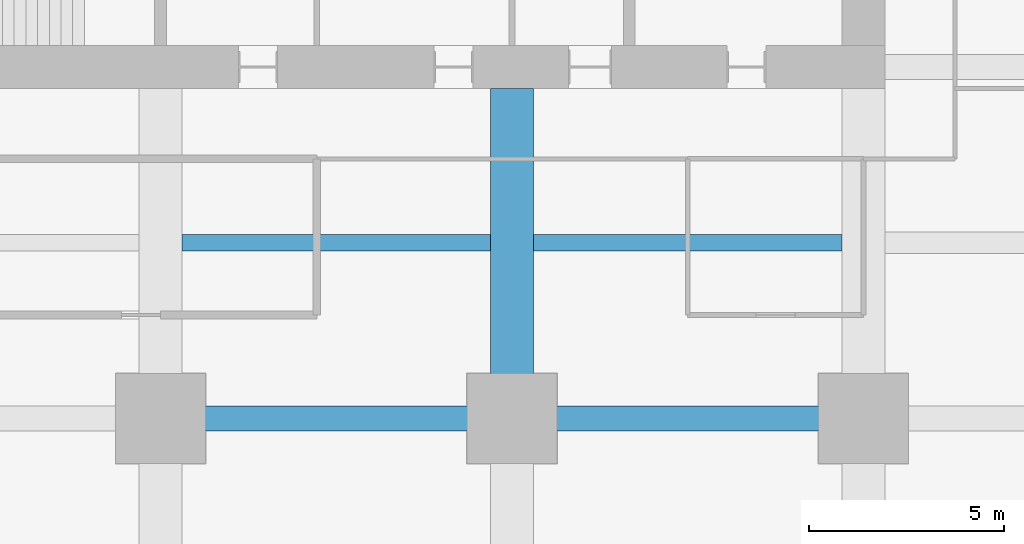
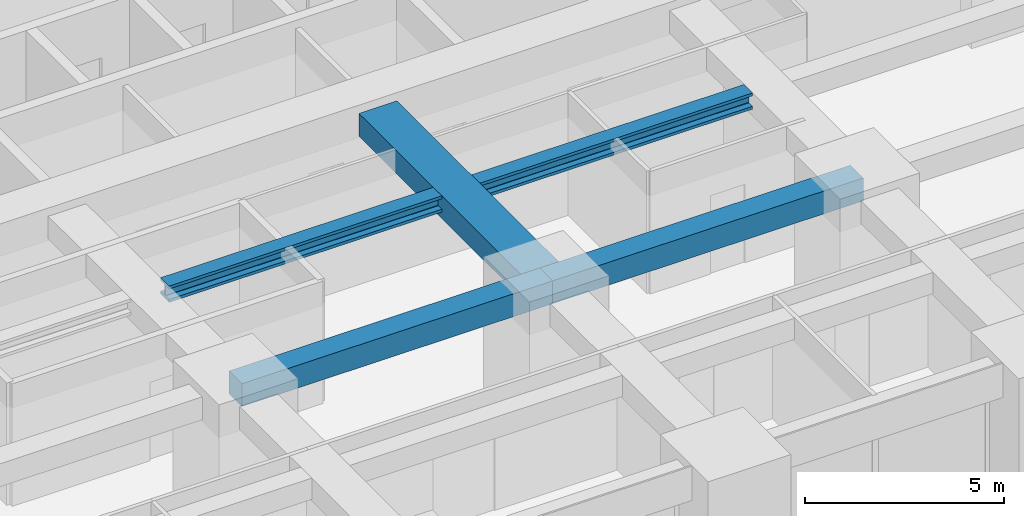
# One storey, part 12 of 39: 5 beams.
"""IFC4 building model written with IfcOpenShell, lengths in metres."""

from ifc_helpers import new_model, si_unit, direction, frame, origin, origin_2d, place, context, subcontext, project, spatial, rectangle, i_section, extrude, material, material_profile, profile_set, type_object, element, save


model = new_model("IFC4")

# Units and contexts
model_context = context("Model", 3, precision=1e-05, world=origin(), true_north=direction((0.0, 1.0)))
body_context = subcontext(model_context, "Body", "Model", "MODEL_VIEW")
ifc_project = project(units=[si_unit("LENGTHUNIT", "METRE"), si_unit("AREAUNIT", "SQUARE_METRE"), si_unit("VOLUMEUNIT", "CUBIC_METRE"), si_unit("PLANEANGLEUNIT", "RADIAN"), si_unit("MASSUNIT", "GRAM", prefix="KILO")], contexts=[model_context])

# Site, building, storey
site_placement = place(None, origin())
site = spatial("IfcSite", under=ifc_project, at=site_placement, CompositionType="ELEMENT")
building_placement = place(site_placement, origin())
building = spatial("IfcBuilding", under=site, at=building_placement, Name="Zorevar Civic Tower", CompositionType="ELEMENT")
storey_placement = place(building_placement, frame((0.0, 0.0, 19.800048828125)))
storey = spatial("IfcBuildingStorey", under=building, at=storey_placement, Name="L04", CompositionType="ELEMENT", Elevation=19.800048828125)

# Beams
ifc_material_1 = material(Name="Concrete C50/60", Category="concrete")
ifc_material_profile_1 = material_profile(ifc_material_1, rectangle(XDim=1.10009765625, YDim=0.699951171875, at=origin_2d()), Name="RC 1100x700")
ifc_profile_set_1 = profile_set([ifc_material_profile_1], Name="Concrete C50/60")
beam_type_1 = type_object("IfcBeamType", Name="Beam RC 1100x700", PredefinedType="BEAM", material=ifc_profile_set_1)
beam_placement = place(storey_placement, frame((36.0, 9.0, 3.39990234375), z_axis=(0.0, 1.0, 0.0), x_axis=(-1.0, 0.0, 0.0)))
element("IfcBeam", 1, at=beam_placement, inside=storey, type_object=beam_type_1, Name="Girder L05", PredefinedType="BEAM", context=body_context, shape_type="SweptSolid", body=[
    extrude(rectangle(XDim=1.10009765625, YDim=0.699951171875, at=origin_2d()), origin(), (0.0, 0.0, 1.0), 8.449951171875),
])
ifc_material_2 = material(Name="Concrete C50/60", Category="concrete")
ifc_material_profile_2 = material_profile(ifc_material_2, rectangle(XDim=0.64990234375, YDim=0.699951171875, at=origin_2d()), Name="RC 650x700")
ifc_profile_set_2 = profile_set([ifc_material_profile_2], Name="Concrete C50/60")
beam_type_2 = type_object("IfcBeamType", Name="Beam RC 650x700", PredefinedType="BEAM", material=ifc_profile_set_2)
for number, where, z_axis, x_axis, name in (
    (2, (27.0, 9.0, 3.39990234375), (1.0, 0.0, 0.0), (0.0, 1.0, 0.0), "Girder L05"),
    (3, (36.0, 9.0, 3.39990234375), (1.0, 0.0, 0.0), (0.0, 1.0, 0.0), "Girder L05"),
):
    element("IfcBeam", number, at=place(storey_placement, frame(where, z_axis=z_axis, x_axis=x_axis)), inside=storey, type_object=beam_type_2, Name=name, PredefinedType="BEAM", context=body_context, shape_type="SweptSolid", body=[
        extrude(rectangle(XDim=0.64990234375, YDim=0.699951171875, at=origin_2d()), origin(), (0.0, 0.0, 1.0), 9.0),
    ])
ifc_material_3 = material(Name="Steel S460M (HISTAR 460)", Category="steel")
ifc_material_profile_3 = material_profile(ifc_material_3, i_section(OverallWidth=0.431884765625, OverallDepth=0.498046875, WebThickness=0.0556640625, FlangeThickness=0.0888671875, FilletRadius=0.014892578125, at=origin_2d()), Name="HD 400x744")
ifc_profile_set_3 = profile_set([ifc_material_profile_3], Name="Steel S460M (HISTAR 460)")
beam_type_3 = type_object("IfcBeamType", Name="Core bay beam HD 400x744", PredefinedType="BEAM", material=ifc_profile_set_3)
for number, where, z_axis, x_axis, name in (
    (4, (27.550048828125, 13.5, 3.5009765625), (1.0, 0.0, 0.0), (0.0, 1.0, 0.0), "Secondary beam L05"),
    (5, (36.550048828125, 13.5, 3.5009765625), (1.0, 0.0, 0.0), (0.0, 1.0, 0.0), "Secondary beam L05"),
):
    element("IfcBeam", number, at=place(storey_placement, frame(where, z_axis=z_axis, x_axis=x_axis)), inside=storey, type_object=beam_type_3, Name=name, PredefinedType="BEAM", context=body_context, shape_type="SweptSolid", body=[
        extrude(i_section(OverallWidth=0.431884765625, OverallDepth=0.498046875, WebThickness=0.0556640625, FlangeThickness=0.0888671875, FilletRadius=0.014892578125, at=origin_2d()), origin(), (0.0, 0.0, 1.0), 7.89990234375),
    ])

save(model, "model.ifc")
